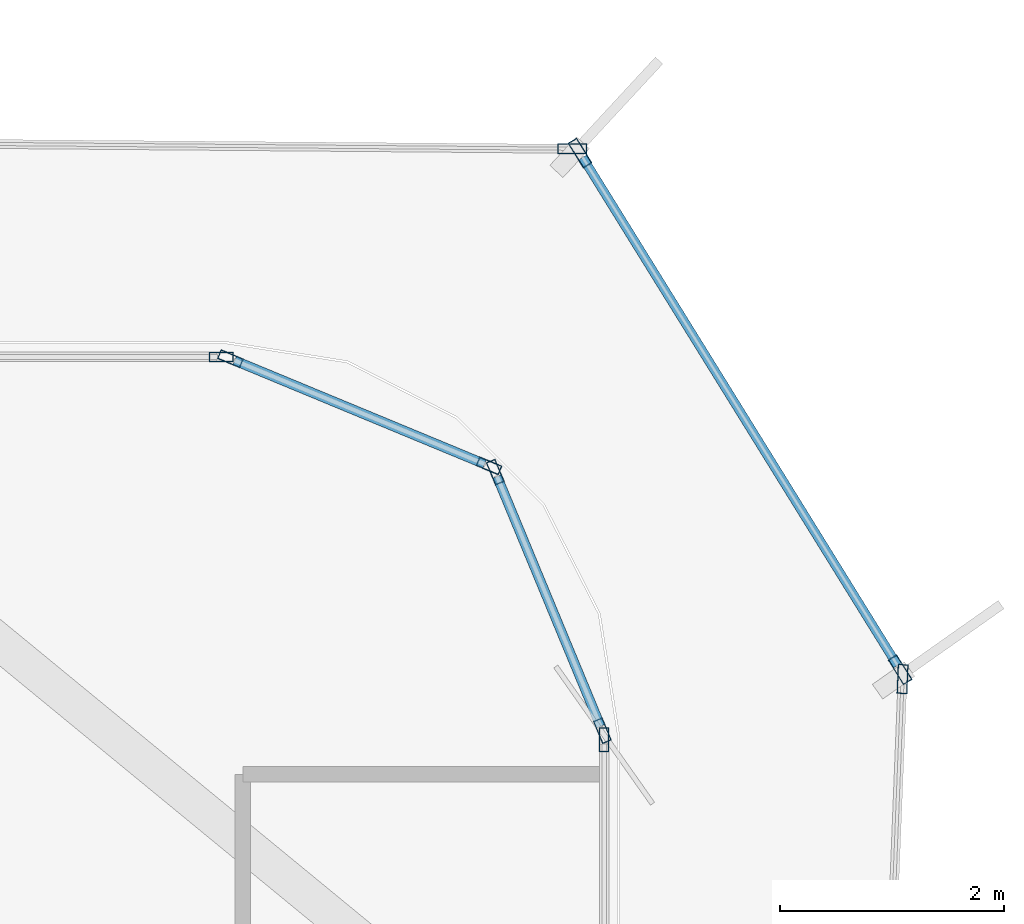
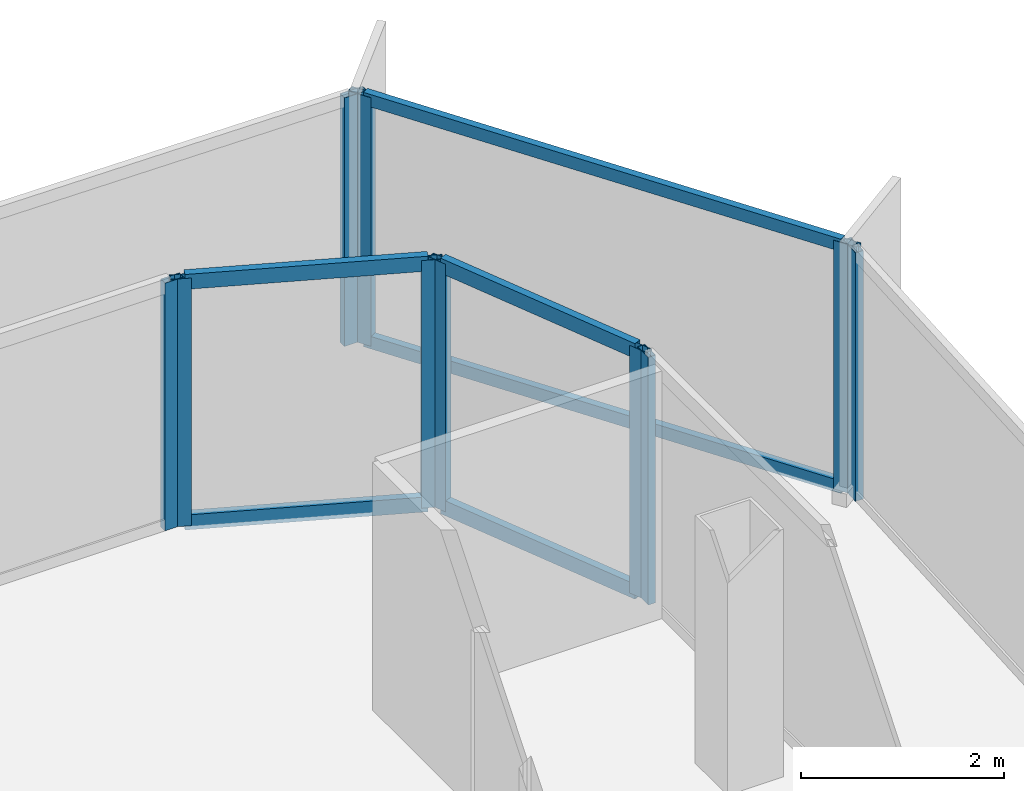
# One storey, part 8 of 15: 16 members, 7 elements without a shape of their own.
"""IFC4 building model written with IfcOpenShell, lengths in metres."""

from ifc_helpers import new_model, si_unit, direction, frame, origin, origin_2d, place, context, subcontext, project, spatial, hollow_rectangle, extrude, source, transform, mapped, material, layer, layer_set, material_profile, profile_set, type_object, element, aggregate, save


model = new_model("IFC4")

# Units and contexts
model_context = context("Model", 3, precision=1e-05, world=origin(), true_north=direction((0.0, 1.0)))
body_context = subcontext(model_context, "Body", "Model", "MODEL_VIEW")
ifc_project = project(units=[si_unit("LENGTHUNIT", "METRE"), si_unit("AREAUNIT", "SQUARE_METRE"), si_unit("VOLUMEUNIT", "CUBIC_METRE"), si_unit("PLANEANGLEUNIT", "RADIAN"), si_unit("MASSUNIT", "GRAM", prefix="KILO")], contexts=[model_context])

# Site, building, storey
site_placement = place(None, origin())
site = spatial("IfcSite", under=ifc_project, at=site_placement, CompositionType="ELEMENT")
building_placement = place(site_placement, origin())
building = spatial("IfcBuilding", under=site, at=building_placement, Name="Kolveth Station Tower", CompositionType="ELEMENT")
storey_placement = place(building_placement, frame((0.0, 0.0, 239.300048828125)))
storey = spatial("IfcBuildingStorey", under=building, at=storey_placement, Name="L68", CompositionType="ELEMENT", Elevation=239.300048828125)

# Curtain wall, member
ifc_material_1 = material(Name="Black anodized aluminium 6063-T6 and dark solar glass", Category="aluminium")
ifc_layer_1 = layer(ifc_material_1, 0.159912109375)
ifc_layer_set_1 = layer_set([ifc_layer_1], Name="Black anodized aluminium 6063-T6 and dark solar glass")
curtain_wall_type_1 = type_object("IfcCurtainWallType", Name="OUTER SKIN CW-OS", PredefinedType="NOTDEFINED", material=ifc_layer_set_1)
curtain_wall_1_placement = place(storey_placement, origin())
curtain_wall_1 = element("IfcCurtainWall", 1, at=curtain_wall_1_placement, inside=storey, type_object=curtain_wall_type_1, Name="L68 Outer Ventilated Skin Curtain Wall 2", PredefinedType="NOTDEFINED")
ifc_material_2 = material(Name="Black anodized aluminium 6063-T6", Category="aluminium")
ifc_material_profile_1 = material_profile(ifc_material_2, hollow_rectangle(XDim=0.090087890625, YDim=0.260009765625, WallThickness=0.0048828125, at=origin_2d()), Name="ALU-90x260x5")
ifc_profile_set_1 = profile_set([ifc_material_profile_1], Name="Black anodized aluminium 6063-T6")
member_type_1 = type_object("IfcMemberType", Name="FIN MULLION ML-OS", PredefinedType="MULLION", material=ifc_profile_set_1)
shared_shape_1 = source(origin(), body_context, "Body", "SweptSolid", [
    extrude(hollow_rectangle(XDim=0.090087890625, YDim=0.260009765625, WallThickness=0.0048828125, at=origin_2d()), origin(), (0.0, 0.0, 1.0), 2.989990234375),
])
member_1_placement = place(storey_placement, frame((44.346435546875, 32.30126953125, 0.0), z_axis=(0.0, 0.0, 1.0), x_axis=(-0.999200188261, 0.039987295223, 0.0)))
member_1 = element("IfcMember", 2, at=member_1_placement, type_object=member_type_1, Name="CW-OS mullion 2", PredefinedType="MULLION", context=body_context, shape_type="MappedRepresentation", body=[
    mapped(shared_shape_1, transform((0.0, 0.0, 0.0), x_axis=(1.0, 0.0, 0.0), y_axis=(0.0, 1.0, 0.0), z_axis=(0.0, 0.0, 1.0), scale=1.0)),
])
aggregate(curtain_wall_1, [member_1])

# Curtain wall, members
curtain_wall_2_placement = place(storey_placement, origin())
curtain_wall_2 = element("IfcCurtainWall", 3, at=curtain_wall_2_placement, inside=storey, type_object=curtain_wall_type_1, Name="L68 Outer Ventilated Skin Curtain Wall 3", PredefinedType="NOTDEFINED")
member_2_placement = place(storey_placement, frame((44.324462890625, 32.384521484375, 0.0), z_axis=(0.0, 0.0, 1.0), x_axis=(-0.850041200808, -0.526716201506, 0.0)))
member_2 = element("IfcMember", 4, at=member_2_placement, type_object=member_type_1, Name="CW-OS mullion 1", PredefinedType="MULLION", context=body_context, shape_type="MappedRepresentation", body=[
    mapped(shared_shape_1, transform((0.0, 0.0, 0.0), x_axis=(1.0, 0.0, 0.0), y_axis=(0.0, 1.0, 0.0), z_axis=(0.0, 0.0, 1.0), scale=1.0)),
])
member_3_placement = place(storey_placement, frame((41.463623046875, 37.00146484375, 0.0), z_axis=(0.0, 0.0, 1.0), x_axis=(-0.850041200808, -0.526716201506, 0.0)))
member_3 = element("IfcMember", 5, at=member_3_placement, type_object=member_type_1, Name="CW-OS mullion 2", PredefinedType="MULLION", context=body_context, shape_type="MappedRepresentation", body=[
    mapped(shared_shape_1, transform((0.0, 0.0, 0.0), x_axis=(1.0, 0.0, 0.0), y_axis=(0.0, 1.0, 0.0), z_axis=(0.0, 0.0, 1.0), scale=1.0)),
])

# Curtain wall, member
curtain_wall_3_placement = place(storey_placement, origin())
curtain_wall_3 = element("IfcCurtainWall", 6, at=curtain_wall_3_placement, inside=storey, type_object=curtain_wall_type_1, Name="L68 Outer Ventilated Skin Curtain Wall 4", PredefinedType="NOTDEFINED")
member_4_placement = place(storey_placement, frame((41.39501953125, 37.0400390625, 0.0), z_axis=(0.0, 0.0, 1.0), x_axis=(-0.008262166568, -0.999965867719, 0.0)))
member_4 = element("IfcMember", 7, at=member_4_placement, type_object=member_type_1, Name="CW-OS mullion 1", PredefinedType="MULLION", context=body_context, shape_type="MappedRepresentation", body=[
    mapped(shared_shape_1, transform((0.0, 0.0, 0.0), x_axis=(1.0, 0.0, 0.0), y_axis=(0.0, 1.0, 0.0), z_axis=(0.0, 0.0, 1.0), scale=1.0)),
])
aggregate(curtain_wall_3, [member_4])

ifc_material_3 = material(Name="Aluminium 6063-T6 and triple low-E dark glass", Category="aluminium")
ifc_layer_2 = layer(ifc_material_3, 0.199951171875)
ifc_layer_set_2 = layer_set([ifc_layer_2], Name="Aluminium 6063-T6 and triple low-E dark glass")
curtain_wall_type_2 = type_object("IfcCurtainWallType", Name="CurtainWall_CW-Z3", PredefinedType="NOTDEFINED", material=ifc_layer_set_2)
curtain_wall_4_placement = place(storey_placement, origin())
curtain_wall_4 = element("IfcCurtainWall", 8, at=curtain_wall_4_placement, inside=storey, type_object=curtain_wall_type_2, Name="L68 Inner Thermal Curtain Wall 3", PredefinedType="NOTDEFINED")
ifc_material_profile_2 = material_profile(ifc_material_2, hollow_rectangle(XDim=0.0849609375, YDim=0.215087890625, WallThickness=0.0048828125, at=origin_2d()), Name="ALU-85x215x5")
ifc_profile_set_2 = profile_set([ifc_material_profile_2], Name="Black anodized aluminium 6063-T6")
member_type_2 = type_object("IfcMemberType", Name="Mullion_ML3", PredefinedType="MULLION", material=ifc_profile_set_2)
shared_shape_2 = source(origin(), body_context, "Body", "SweptSolid", [
    extrude(hollow_rectangle(XDim=0.0849609375, YDim=0.215087890625, WallThickness=0.0048828125, at=origin_2d()), origin(), (0.0, 0.0, 1.0), 2.97998046875),
])
member_5_placement = place(storey_placement, frame((41.679931640625, 31.757568359375, 0.0), z_axis=(0.0, 0.0, 1.0), x_axis=(-1.0, 0.0, 0.0)))
member_5 = element("IfcMember", 9, at=member_5_placement, type_object=member_type_2, Name="CW-Z3 mullion 2", PredefinedType="MULLION", context=body_context, shape_type="MappedRepresentation", body=[
    mapped(shared_shape_2, transform((0.0, 0.0, 0.0), x_axis=(1.0, 0.0, 0.0), y_axis=(0.0, 1.0, 0.0), z_axis=(0.0, 0.0, 1.0), scale=1.0)),
])
aggregate(curtain_wall_4, [member_5])

# Curtain wall, members
curtain_wall_5_placement = place(storey_placement, origin())
curtain_wall_5 = element("IfcCurtainWall", 10, at=curtain_wall_5_placement, inside=storey, type_object=curtain_wall_type_2, Name="L68 Inner Thermal Curtain Wall 4", PredefinedType="NOTDEFINED")
member_6_placement = place(storey_placement, frame((41.663818359375, 31.83935546875, 0.0), z_axis=(0.0, 0.0, 1.0), x_axis=(-0.923875488975, -0.382693194181, 0.0)))
member_6 = element("IfcMember", 11, at=member_6_placement, type_object=member_type_2, Name="CW-Z3 mullion 1", PredefinedType="MULLION", context=body_context, shape_type="MappedRepresentation", body=[
    mapped(shared_shape_2, transform((0.0, 0.0, 0.0), x_axis=(1.0, 0.0, 0.0), y_axis=(0.0, 1.0, 0.0), z_axis=(0.0, 0.0, 1.0), scale=1.0)),
])
member_7_placement = place(storey_placement, frame((40.706298828125, 34.150634765625, 0.0), z_axis=(0.0, 0.0, 1.0), x_axis=(-0.923875488975, -0.382693194181, 0.0)))
member_7 = element("IfcMember", 12, at=member_7_placement, type_object=member_type_2, Name="CW-Z3 mullion 2", PredefinedType="MULLION", context=body_context, shape_type="MappedRepresentation", body=[
    mapped(shared_shape_2, transform((0.0, 0.0, 0.0), x_axis=(1.0, 0.0, 0.0), y_axis=(0.0, 1.0, 0.0), z_axis=(0.0, 0.0, 1.0), scale=1.0)),
])

curtain_wall_6_placement = place(storey_placement, origin())
curtain_wall_6 = element("IfcCurtainWall", 13, at=curtain_wall_6_placement, inside=storey, type_object=curtain_wall_type_2, Name="L68 Inner Thermal Curtain Wall 5", PredefinedType="NOTDEFINED")
member_8_placement = place(storey_placement, frame((40.650634765625, 34.206298828125, 0.0), z_axis=(0.0, 0.0, 1.0), x_axis=(-0.382693194181, -0.923875488975, 0.0)))
member_8 = element("IfcMember", 14, at=member_8_placement, type_object=member_type_2, Name="CW-Z3 mullion 1", PredefinedType="MULLION", context=body_context, shape_type="MappedRepresentation", body=[
    mapped(shared_shape_2, transform((0.0, 0.0, 0.0), x_axis=(1.0, 0.0, 0.0), y_axis=(0.0, 1.0, 0.0), z_axis=(0.0, 0.0, 1.0), scale=1.0)),
])
member_9_placement = place(storey_placement, frame((38.33935546875, 35.163818359375, 0.0), z_axis=(0.0, 0.0, 1.0), x_axis=(-0.382693194181, -0.923875488975, 0.0)))
member_9 = element("IfcMember", 15, at=member_9_placement, type_object=member_type_2, Name="CW-Z3 mullion 2", PredefinedType="MULLION", context=body_context, shape_type="MappedRepresentation", body=[
    mapped(shared_shape_2, transform((0.0, 0.0, 0.0), x_axis=(1.0, 0.0, 0.0), y_axis=(0.0, 1.0, 0.0), z_axis=(0.0, 0.0, 1.0), scale=1.0)),
])

# Curtain wall, member
curtain_wall_7_placement = place(storey_placement, origin())
curtain_wall_7 = element("IfcCurtainWall", 16, at=curtain_wall_7_placement, inside=storey, type_object=curtain_wall_type_2, Name="L68 Inner Thermal Curtain Wall 6", PredefinedType="NOTDEFINED")
member_10_placement = place(storey_placement, frame((38.257568359375, 35.179931640625, 0.0), z_axis=(0.0, 0.0, 1.0), x_axis=(0.0, -1.0, 0.0)))
member_10 = element("IfcMember", 17, at=member_10_placement, type_object=member_type_2, Name="CW-Z3 mullion 1", PredefinedType="MULLION", context=body_context, shape_type="MappedRepresentation", body=[
    mapped(shared_shape_2, transform((0.0, 0.0, 0.0), x_axis=(1.0, 0.0, 0.0), y_axis=(0.0, 1.0, 0.0), z_axis=(0.0, 0.0, 1.0), scale=1.0)),
])
aggregate(curtain_wall_7, [member_10])

# Member
ifc_material_profile_3 = material_profile(ifc_material_2, hollow_rectangle(XDim=0.0849609375, YDim=0.179931640625, WallThickness=0.0048828125, at=origin_2d()), Name="ALU-85x180x5")
ifc_profile_set_3 = profile_set([ifc_material_profile_3], Name="Black anodized aluminium 6063-T6")
member_type_3 = type_object("IfcMemberType", Name="Transom_TR3", PredefinedType="USERDEFINED", material=ifc_profile_set_3)
shared_shape_3 = source(origin(), body_context, "Body", "SweptSolid", [
    extrude(hollow_rectangle(XDim=0.0849609375, YDim=0.179931640625, WallThickness=0.0048828125, at=origin_2d()), origin(), (0.0, 0.0, 1.0), 2.417236328125),
])
member_11_placement = place(storey_placement, frame((41.6474609375, 31.87841796875, 0.04248046875), z_axis=(-0.382699687013, 0.923872799448, 0.0), x_axis=(-0.923872799448, -0.382699687013, 0.0)))
member_11 = element("IfcMember", 18, at=member_11_placement, type_object=member_type_3, Name="CW-Z3 transom 1.1", ObjectType="TRANSOM", PredefinedType="USERDEFINED", context=body_context, shape_type="MappedRepresentation", body=[
    mapped(shared_shape_3, transform((0.0, 0.0, 0.0), x_axis=(1.0, 0.0, 0.0), y_axis=(0.0, 1.0, 0.0), z_axis=(0.0, 0.0, 1.0), scale=1.0)),
])

member_12_placement = place(storey_placement, frame((41.6474609375, 31.87841796875, 2.9375), z_axis=(-0.382699687013, 0.923872799448, 0.0), x_axis=(-0.923872799448, -0.382699687013, 0.0)))
member_12 = element("IfcMember", 19, at=member_12_placement, type_object=member_type_3, Name="CW-Z3 transom 1.2", ObjectType="TRANSOM", PredefinedType="USERDEFINED", context=body_context, shape_type="MappedRepresentation", body=[
    mapped(shared_shape_3, transform((0.0, 0.0, 0.0), x_axis=(1.0, 0.0, 0.0), y_axis=(0.0, 1.0, 0.0), z_axis=(0.0, 0.0, 1.0), scale=1.0)),
])

aggregate(curtain_wall_5, [member_6, member_7, member_11, member_12])

member_13_placement = place(storey_placement, frame((40.611572265625, 34.222412109375, 0.04248046875), z_axis=(-0.923872799448, 0.382699687013, 0.0), x_axis=(-0.382699687013, -0.923872799448, 0.0)))
member_13 = element("IfcMember", 20, at=member_13_placement, type_object=member_type_3, Name="CW-Z3 transom 1.1", ObjectType="TRANSOM", PredefinedType="USERDEFINED", context=body_context, shape_type="MappedRepresentation", body=[
    mapped(shared_shape_3, transform((0.0, 0.0, 0.0), x_axis=(1.0, 0.0, 0.0), y_axis=(0.0, 1.0, 0.0), z_axis=(0.0, 0.0, 1.0), scale=1.0)),
])

member_14_placement = place(storey_placement, frame((40.611572265625, 34.222412109375, 2.9375), z_axis=(-0.923872799448, 0.382699687013, 0.0), x_axis=(-0.382699687013, -0.923872799448, 0.0)))
member_14 = element("IfcMember", 21, at=member_14_placement, type_object=member_type_3, Name="CW-Z3 transom 1.2", ObjectType="TRANSOM", PredefinedType="USERDEFINED", context=body_context, shape_type="MappedRepresentation", body=[
    mapped(shared_shape_3, transform((0.0, 0.0, 0.0), x_axis=(1.0, 0.0, 0.0), y_axis=(0.0, 1.0, 0.0), z_axis=(0.0, 0.0, 1.0), scale=1.0)),
])

aggregate(curtain_wall_6, [member_8, member_9, member_13, member_14])

ifc_material_profile_4 = material_profile(ifc_material_2, hollow_rectangle(XDim=0.080078125, YDim=0.14990234375, WallThickness=0.0048828125, at=origin_2d()), Name="ALU-80x150x5")
ifc_profile_set_4 = profile_set([ifc_material_profile_4], Name="Black anodized aluminium 6063-T6")
member_type_4 = type_object("IfcMemberType", Name="Transom_TR-OS", PredefinedType="USERDEFINED", material=ifc_profile_set_4)
shared_shape_4 = source(origin(), body_context, "Body", "SweptSolid", [
    extrude(hollow_rectangle(XDim=0.080078125, YDim=0.14990234375, WallThickness=0.0048828125, at=origin_2d()), origin(), (0.0, 0.0, 1.0), 5.34130859375),
])
member_15_placement = place(storey_placement, frame((44.30078125, 32.4228515625, 0.0400390625), z_axis=(-0.526736933543, 0.85002835414, 0.0), x_axis=(-0.85002835414, -0.526736933543, 0.0)))
member_15 = element("IfcMember", 22, at=member_15_placement, type_object=member_type_4, Name="CW-OS transom 1.1", ObjectType="TRANSOM", PredefinedType="USERDEFINED", context=body_context, shape_type="MappedRepresentation", body=[
    mapped(shared_shape_4, transform((0.0, 0.0, 0.0), x_axis=(1.0, 0.0, 0.0), y_axis=(0.0, 1.0, 0.0), z_axis=(0.0, 0.0, 1.0), scale=1.0)),
])

member_16_placement = place(storey_placement, frame((44.30078125, 32.4228515625, 2.949951171875), z_axis=(-0.526736933543, 0.85002835414, 0.0), x_axis=(-0.85002835414, -0.526736933543, 0.0)))
member_16 = element("IfcMember", 23, at=member_16_placement, type_object=member_type_4, Name="CW-OS transom 1.2", ObjectType="TRANSOM", PredefinedType="USERDEFINED", context=body_context, shape_type="MappedRepresentation", body=[
    mapped(shared_shape_4, transform((0.0, 0.0, 0.0), x_axis=(1.0, 0.0, 0.0), y_axis=(0.0, 1.0, 0.0), z_axis=(0.0, 0.0, 1.0), scale=1.0)),
])

aggregate(curtain_wall_2, [member_2, member_3, member_15, member_16])

save(model, "model.ifc")
